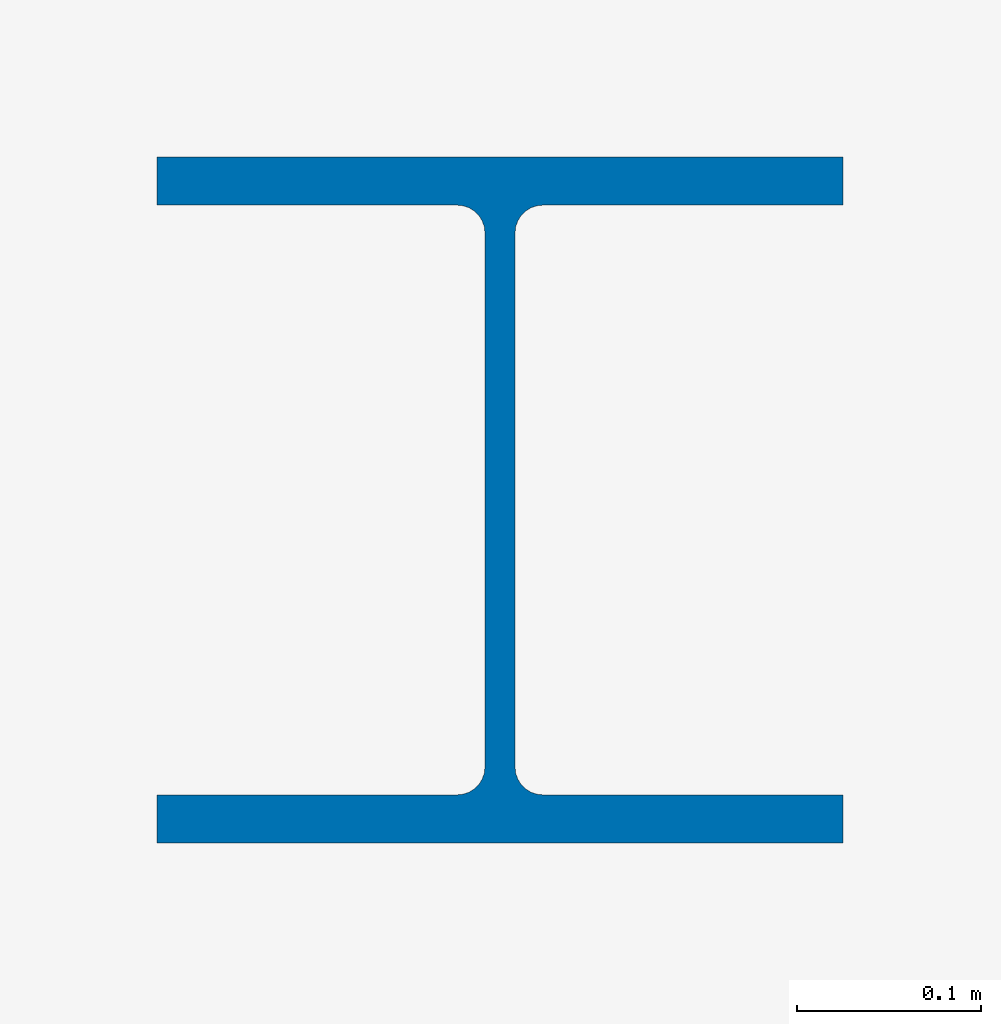
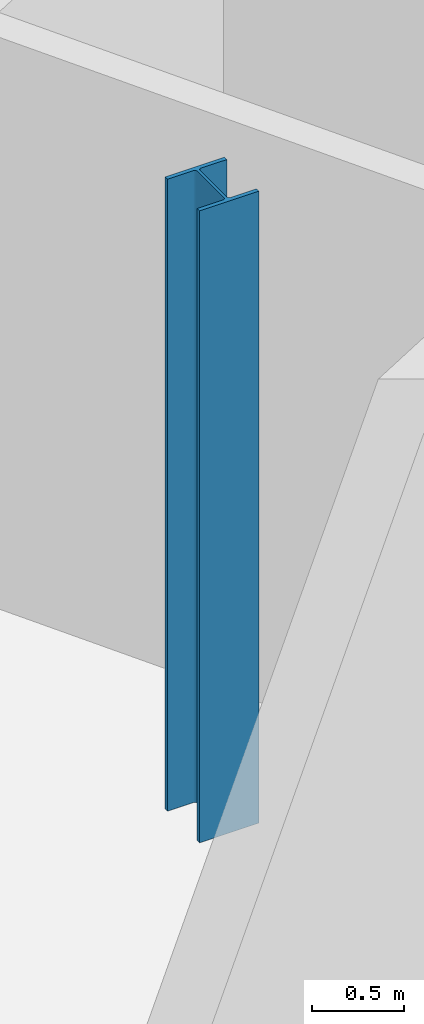
# One storey, part 1 of 13: 1 column.
"""IFC4 building model written with IfcOpenShell, lengths in metres."""

from ifc_helpers import new_model, si_unit, direction, frame, origin, origin_2d, place, context, subcontext, project, spatial, i_section, extrude, material, material_profile, profile_set, type_object, element, save


model = new_model("IFC4")

# Units and contexts
model_context = context("Model", 3, precision=1e-05, world=origin(), true_north=direction((0.0, 1.0)))
body_context = subcontext(model_context, "Body", "Model", "MODEL_VIEW")
ifc_project = project(units=[si_unit("LENGTHUNIT", "METRE"), si_unit("AREAUNIT", "SQUARE_METRE"), si_unit("VOLUMEUNIT", "CUBIC_METRE"), si_unit("PLANEANGLEUNIT", "RADIAN"), si_unit("MASSUNIT", "GRAM", prefix="KILO")], contexts=[model_context])

# Site, building, storey
site_placement = place(None, origin())
site = spatial("IfcSite", under=ifc_project, at=site_placement, CompositionType="ELEMENT")
building_placement = place(site_placement, origin())
building = spatial("IfcBuilding", under=site, at=building_placement, Name="Cormorant Relay Tower", CompositionType="ELEMENT")
storey_placement = place(building_placement, frame((0.0, 0.0, 353.39990234375)))
storey = spatial("IfcBuildingStorey", under=building, at=storey_placement, Name="C7", CompositionType="ELEMENT", Elevation=353.39990234375)

# Column
ifc_material = material(Name="Steel ASTM A992 (Fy 345 MPa)", Category="steel")
ifc_material_profile = material_profile(ifc_material, i_section(OverallWidth=0.373291015625, OverallDepth=0.373291015625, WebThickness=0.016357421875, FlangeThickness=0.026123046875, FilletRadius=0.01513671875, at=origin_2d()), Name="W360x196")
ifc_profile_set = profile_set([ifc_material_profile], Name="Steel ASTM A992 (Fy 345 MPa)")
column_type = type_object("IfcColumnType", Name="Column W360x196", PredefinedType="COLUMN", material=ifc_profile_set)
column_placement = place(storey_placement, frame((-51.68994140625, 15.251953125, 0.0), z_axis=(0.0, 0.0, 1.0), x_axis=(1.0, 0.0, 0.0)))
element("IfcColumn", 1, at=column_placement, inside=storey, type_object=column_type, Name="Column C7-002", PredefinedType="COLUMN", context=body_context, shape_type="SweptSolid", body=[
    extrude(i_section(OverallWidth=0.373291015625, OverallDepth=0.373291015625, WebThickness=0.016357421875, FlangeThickness=0.026123046875, FilletRadius=0.01513671875, at=origin_2d()), origin(), (0.0, 0.0, 1.0), 4.2001953125),
])

save(model, "model.ifc")
